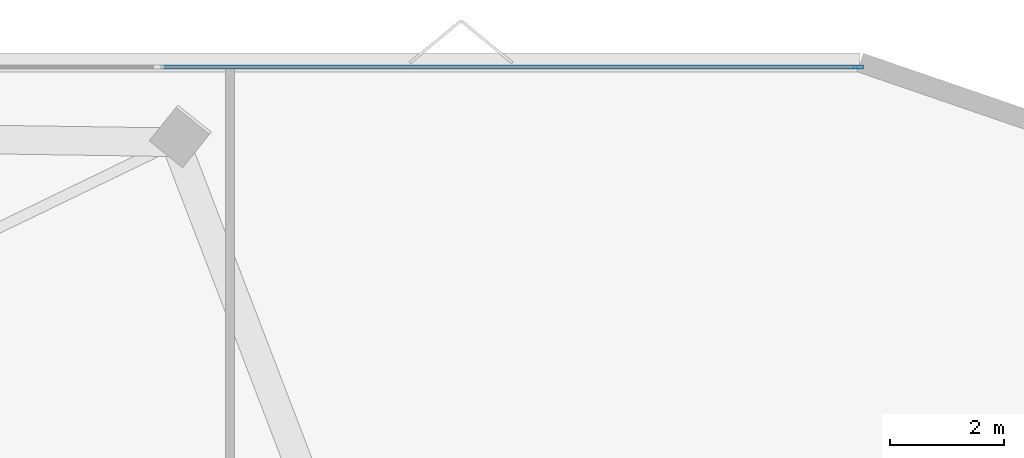
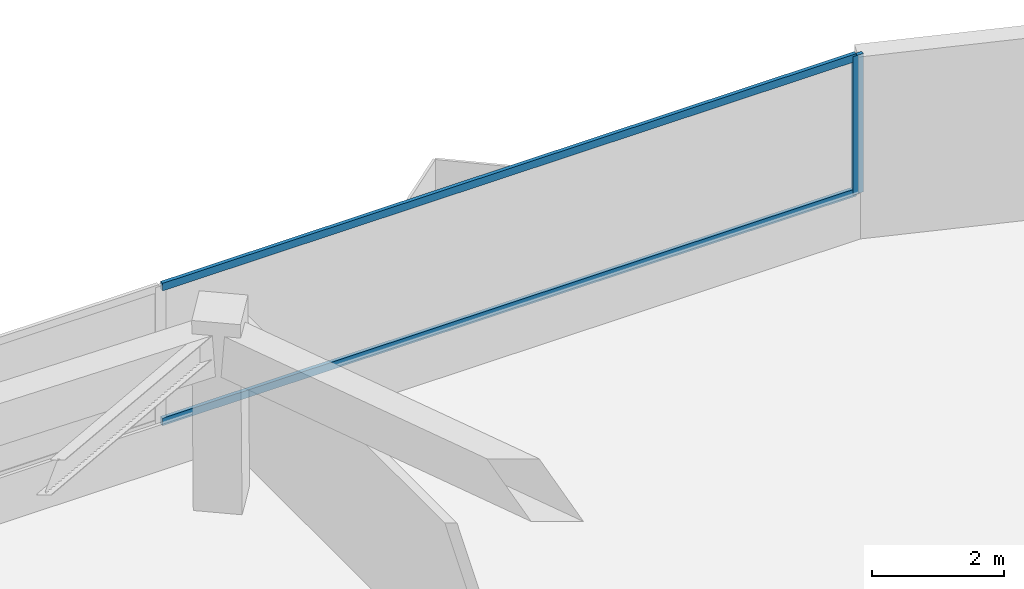
# One storey, part 9 of 14: 3 members, 1 element without a shape of its own.
"""IFC4 building model written with IfcOpenShell, lengths in metres."""

from ifc_helpers import new_model, si_unit, direction, frame, origin, origin_2d, place, context, subcontext, project, spatial, rectangle, extrude, material, layer, layer_set, material_profile, profile_set, type_object, element, aggregate, save


model = new_model("IFC4")

# Units and contexts
model_context = context("Model", 3, precision=1e-05, world=origin(), true_north=direction((0.0, 1.0)))
body_context = subcontext(model_context, "Body", "Model", "MODEL_VIEW")
ifc_project = project(units=[si_unit("LENGTHUNIT", "METRE"), si_unit("AREAUNIT", "SQUARE_METRE"), si_unit("VOLUMEUNIT", "CUBIC_METRE"), si_unit("PLANEANGLEUNIT", "RADIAN"), si_unit("MASSUNIT", "GRAM", prefix="KILO")], contexts=[model_context])

# Site, building, storey
site_placement = place(None, origin())
site = spatial("IfcSite", under=ifc_project, at=site_placement, CompositionType="ELEMENT")
building_placement = place(site_placement, origin())
building = spatial("IfcBuilding", under=site, at=building_placement, Name="Talyreon Biosciences Tower", CompositionType="ELEMENT")
storey_placement = place(building_placement, frame((0.0, 0.0, 130.85009765625)))
storey = spatial("IfcBuildingStorey", under=building, at=storey_placement, Name="L34", CompositionType="ELEMENT", Elevation=130.85009765625)

# Curtain wall, members
ifc_material_1 = material(Name="Thermally broken aluminium and low-E glazing", Category="aluminium")
ifc_layer = layer(ifc_material_1, 0.18505859375)
ifc_layer_set = layer_set([ifc_layer], Name="Thermally broken aluminium and low-E glazing")
curtain_wall_type = type_object("IfcCurtainWallType", Name="CurtainWall_Zone3Bioprocess", PredefinedType="NOTDEFINED", material=ifc_layer_set)
curtain_wall_placement = place(storey_placement, origin())
curtain_wall = element("IfcCurtainWall", 1, at=curtain_wall_placement, inside=storey, type_object=curtain_wall_type, Name="L34 Unitised Curtain Wall FCW-L34-04", PredefinedType="NOTDEFINED")
ifc_material_2 = material(Name="Anodised thermally broken aluminium", Category="aluminium")
ifc_material_profile_1 = material_profile(ifc_material_2, rectangle(XDim=0.06494140625, YDim=0.179931640625, at=origin_2d()), Name="ALUM MULLION 65x180")
ifc_profile_set_1 = profile_set([ifc_material_profile_1], Name="Anodised thermally broken aluminium")
member_type_1 = type_object("IfcMemberType", Name="CWMullion_65x180", PredefinedType="MULLION", material=ifc_profile_set_1)
member_1_placement = place(storey_placement, frame((90.490478515625, 89.173095703125, 0.809814453125), z_axis=(0.0, 0.0, 1.0), x_axis=(0.0, 1.0, 0.0)))
member_1 = element("IfcMember", 2, at=member_1_placement, type_object=member_type_1, Name="CW4 mullion 5", PredefinedType="MULLION", context=body_context, shape_type="SweptSolid", body=[
    extrude(rectangle(XDim=0.06494140625, YDim=0.179931640625, at=origin_2d()), origin(), (0.0, 0.0, 1.0), 2.565185546875),
])
ifc_material_profile_2 = material_profile(ifc_material_2, rectangle(XDim=0.06494140625, YDim=0.139892578125, at=origin_2d()), Name="ALUM TRANSOM 65x140")
ifc_profile_set_2 = profile_set([ifc_material_profile_2], Name="Anodised thermally broken aluminium")
member_type_2 = type_object("IfcMemberType", Name="CWTransom_65x140", PredefinedType="USERDEFINED", material=ifc_profile_set_2)
member_2_placement = place(storey_placement, frame((78.2939453125, 89.173095703125, 0.84228515625), z_axis=(1.0, 0.0, 0.0), x_axis=(0.0, 1.0, 0.0)))
member_2 = element("IfcMember", 3, at=member_2_placement, type_object=member_type_2, Name="CW4 transom 4.1", ObjectType="TRANSOM", PredefinedType="USERDEFINED", context=body_context, shape_type="SweptSolid", body=[
    extrude(rectangle(XDim=0.06494140625, YDim=0.139892578125, at=origin_2d()), origin(), (0.0, 0.0, 1.0), 12.1640625),
])
member_3_placement = place(storey_placement, frame((78.2939453125, 89.173095703125, 3.34228515625), z_axis=(1.0, 0.0, 0.0), x_axis=(0.0, 1.0, 0.0)))
member_3 = element("IfcMember", 4, at=member_3_placement, type_object=member_type_2, Name="CW4 transom 4.2", ObjectType="TRANSOM", PredefinedType="USERDEFINED", context=body_context, shape_type="SweptSolid", body=[
    extrude(rectangle(XDim=0.06494140625, YDim=0.139892578125, at=origin_2d()), origin(), (0.0, 0.0, 1.0), 12.1640625),
])
aggregate(curtain_wall, [member_1, member_2, member_3])

save(model, "model.ifc")
